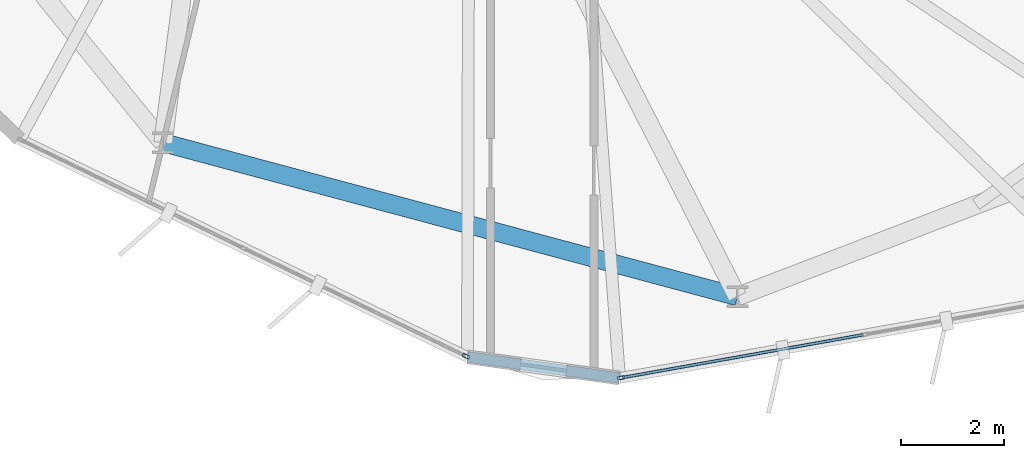
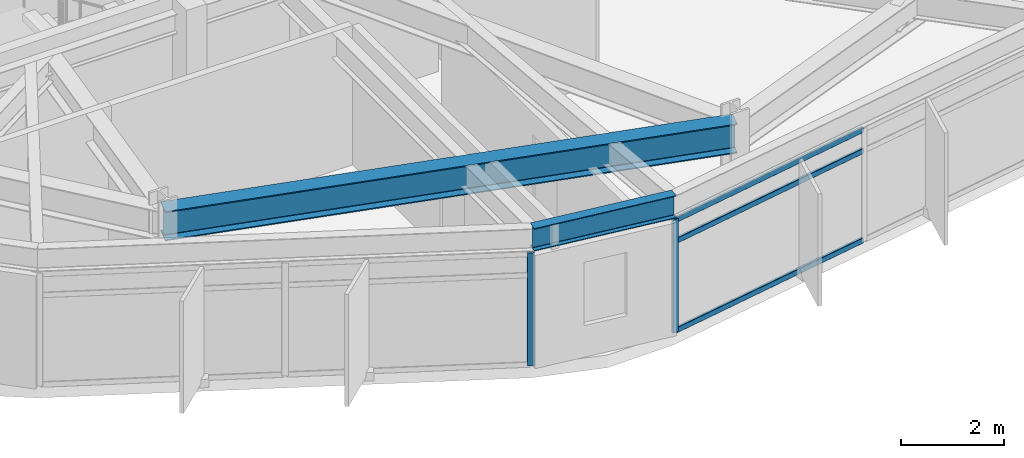
# One storey, part 5 of 28: 5 members, 2 beams, 2 elements without a shape of their own.
"""IFC4 building model written with IfcOpenShell, lengths in metres."""

from ifc_helpers import new_model, si_unit, direction, frame, origin, origin_2d, place, context, subcontext, project, spatial, hollow_rectangle, i_section, extrude, material, layer, layer_set, material_profile, profile_set, type_object, element, aggregate, save


model = new_model("IFC4")

# Units and contexts
model_context = context("Model", 3, precision=1e-05, world=origin(), true_north=direction((0.0, 1.0)))
body_context = subcontext(model_context, "Body", "Model", "MODEL_VIEW")
ifc_project = project(units=[si_unit("LENGTHUNIT", "METRE"), si_unit("AREAUNIT", "SQUARE_METRE"), si_unit("VOLUMEUNIT", "CUBIC_METRE"), si_unit("PLANEANGLEUNIT", "RADIAN"), si_unit("MASSUNIT", "GRAM", prefix="KILO")], contexts=[model_context])

# Site, building, storey
site_placement = place(None, origin())
site = spatial("IfcSite", under=ifc_project, at=site_placement, CompositionType="ELEMENT")
building_placement = place(site_placement, origin())
building = spatial("IfcBuilding", under=site, at=building_placement, Name="Soratama Intermodal Tower", CompositionType="ELEMENT")
storey_placement = place(building_placement, frame((0.0, 0.0, 205.0)))
storey = spatial("IfcBuildingStorey", under=building, at=storey_placement, Name="L51", CompositionType="ELEMENT", Elevation=205.0)

# Beams
ifc_material_1 = material(Name="Structural steel ASTM A992 Grade 50", Category="steel")
ifc_material_profile_1 = material_profile(ifc_material_1, i_section(OverallWidth=0.35498046875, OverallDepth=0.695068359375, WebThickness=0.015380859375, FlangeThickness=0.02490234375, FilletRadius=0.01611328125, at=origin_2d()), Name="W27X146")
ifc_profile_set_1 = profile_set([ifc_material_profile_1], Name="Structural steel ASTM A992 Grade 50")
beam_type_1 = type_object("IfcBeamType", Name="BM-RING-W27X146", PredefinedType="BEAM", material=ifc_profile_set_1)
beam_1_placement = place(storey_placement, frame((34.8701171875, 9.40087890625, 2.952392578125), z_axis=(0.965928616227, -0.258808632687, 0.0), x_axis=(0.258808632687, 0.965928616227, 0.0)))
element("IfcBeam", 1, at=beam_1_placement, inside=storey, type_object=beam_type_1, Name="BM-L51-RING-07", PredefinedType="BEAM", context=body_context, shape_type="SweptSolid", body=[
    extrude(i_section(OverallWidth=0.35498046875, OverallDepth=0.695068359375, WebThickness=0.015380859375, FlangeThickness=0.02490234375, FilletRadius=0.01611328125, at=origin_2d()), origin(), (0.0, 0.0, 1.0), 11.494384765625),
])
ifc_material_2 = material(Name="Structural steel ASTM A992 Grade 50", Category="steel")
ifc_material_profile_2 = material_profile(ifc_material_2, i_section(OverallWidth=0.2099609375, OverallDepth=0.537109375, WebThickness=0.010986328125, FlangeThickness=0.017333984375, FilletRadius=0.012939453125, at=origin_2d()), Name="W21X68")
ifc_profile_set_2 = profile_set([ifc_material_profile_2], Name="Structural steel ASTM A992 Grade 50")
beam_type_2 = type_object("IfcBeamType", Name="BM-SPN-W21X68", PredefinedType="SPANDREL", material=ifc_profile_set_2)
beam_2_placement = place(storey_placement, frame((40.756103515625, 5.259033203125, 3.031494140625), z_axis=(0.990496634203, -0.137536968236, 0.0), x_axis=(0.137536968236, 0.990496634203, 0.0)))
element("IfcBeam", 2, at=beam_2_placement, inside=storey, type_object=beam_type_2, Name="BS-L51-CRN06", PredefinedType="SPANDREL", context=body_context, shape_type="SweptSolid", body=[
    extrude(i_section(OverallWidth=0.2099609375, OverallDepth=0.537109375, WebThickness=0.010986328125, FlangeThickness=0.017333984375, FilletRadius=0.012939453125, at=origin_2d()), origin(), (0.0, 0.0, 1.0), 2.966064453125),
])

# Curtain wall, member
ifc_material_3 = material(Name="Double-glazed aluminium curtain wall", Category="aluminium")
ifc_layer = layer(ifc_material_3, 0.159912109375)
ifc_layer_set = layer_set([ifc_layer], Name="Double-glazed aluminium curtain wall")
curtain_wall_type = type_object("IfcCurtainWallType", Name="CW-SYS-5", PredefinedType="NOTDEFINED", material=ifc_layer_set)
curtain_wall_1_placement = place(storey_placement, origin())
curtain_wall_1 = element("IfcCurtainWall", 3, at=curtain_wall_1_placement, inside=storey, type_object=curtain_wall_type, Name="L51 Faceted Curtain Wall F06", PredefinedType="NOTDEFINED")
ifc_material_4 = material(Name="Anodised aluminium AA 6063-T6", Category="aluminium")
ifc_material_profile_3 = material_profile(ifc_material_4, hollow_rectangle(XDim=0.06494140625, YDim=0.139892578125, WallThickness=0.0048828125, InnerFilletRadius=0.0048828125, OuterFilletRadius=0.010009765625, at=origin_2d()), Name="CWM140X65X5")
ifc_profile_set_3 = profile_set([ifc_material_profile_3], Name="Anodised aluminium AA 6063-T6")
member_type_1 = type_object("IfcMemberType", Name="MT-CWM-5", PredefinedType="MULLION", material=ifc_profile_set_3)
member_1_placement = place(storey_placement, frame((40.729248046875, 5.2724609375, 0.0), z_axis=(0.0, 0.0, 1.0), x_axis=(0.437110527293, 0.899407797904, 0.0)))
member_1 = element("IfcMember", 4, at=member_1_placement, type_object=member_type_1, Name="CW-5 mullion 3", PredefinedType="MULLION", context=body_context, shape_type="SweptSolid", body=[
    extrude(hollow_rectangle(XDim=0.06494140625, YDim=0.139892578125, WallThickness=0.0048828125, InnerFilletRadius=0.0048828125, OuterFilletRadius=0.010009765625, at=origin_2d()), origin(), (0.0, 0.0, 1.0), 2.678955078125),
])
aggregate(curtain_wall_1, [member_1])

# Curtain wall, members
curtain_wall_2_placement = place(storey_placement, origin())
curtain_wall_2 = element("IfcCurtainWall", 5, at=curtain_wall_2_placement, inside=storey, type_object=curtain_wall_type, Name="L51 Faceted Curtain Wall F07", PredefinedType="NOTDEFINED")
member_2_placement = place(storey_placement, frame((43.723876953125, 4.855712890625, 0.0), z_axis=(0.0, 0.0, 1.0), x_axis=(-0.175028186714, 0.984563422973, 0.0)))
member_2 = element("IfcMember", 6, at=member_2_placement, type_object=member_type_1, Name="CW-5 mullion 1", PredefinedType="MULLION", context=body_context, shape_type="SweptSolid", body=[
    extrude(hollow_rectangle(XDim=0.06494140625, YDim=0.139892578125, WallThickness=0.0048828125, InnerFilletRadius=0.0048828125, OuterFilletRadius=0.010009765625, at=origin_2d()), origin(), (0.0, 0.0, 1.0), 2.678955078125),
])
ifc_material_5 = material(Name="Anodised aluminium AA 6063-T6", Category="aluminium")
ifc_material_profile_4 = material_profile(ifc_material_5, hollow_rectangle(XDim=0.06005859375, YDim=0.1298828125, WallThickness=0.0048828125, InnerFilletRadius=0.0048828125, OuterFilletRadius=0.010009765625, at=origin_2d()), Name="CWT130X60X5")
ifc_profile_set_4 = profile_set([ifc_material_profile_4], Name="Anodised aluminium AA 6063-T6")
member_type_2 = type_object("IfcMemberType", Name="TT-CWT-2", PredefinedType="USERDEFINED", material=ifc_profile_set_4)
member_3_placement = place(storey_placement, frame((43.75341796875, 4.861083984375, 0.030029296875), z_axis=(0.984566269523, 0.175012173625, 0.0), x_axis=(-0.175012173625, 0.984566269523, 0.0)))
member_3 = element("IfcMember", 7, at=member_3_placement, type_object=member_type_2, Name="CW-5 transom 1.1", ObjectType="TRANSOM", PredefinedType="USERDEFINED", context=body_context, shape_type="SweptSolid", body=[
    extrude(hollow_rectangle(XDim=0.06005859375, YDim=0.1298828125, WallThickness=0.0048828125, InnerFilletRadius=0.0048828125, OuterFilletRadius=0.010009765625, at=origin_2d()), origin(), (0.0, 0.0, 1.0), 4.72216796875),
])
member_4_placement = place(storey_placement, frame((43.75341796875, 4.861083984375, 2.14990234375), z_axis=(0.984566269523, 0.175012173625, 0.0), x_axis=(-0.175012173625, 0.984566269523, 0.0)))
member_4 = element("IfcMember", 8, at=member_4_placement, type_object=member_type_2, Name="CW-5 transom 1.2", ObjectType="TRANSOM", PredefinedType="USERDEFINED", context=body_context, shape_type="SweptSolid", body=[
    extrude(hollow_rectangle(XDim=0.06005859375, YDim=0.1298828125, WallThickness=0.0048828125, InnerFilletRadius=0.0048828125, OuterFilletRadius=0.010009765625, at=origin_2d()), origin(), (0.0, 0.0, 1.0), 4.72216796875),
])
member_5_placement = place(storey_placement, frame((43.75341796875, 4.861083984375, 2.64892578125), z_axis=(0.984566269523, 0.175012173625, 0.0), x_axis=(-0.175012173625, 0.984566269523, 0.0)))
member_5 = element("IfcMember", 9, at=member_5_placement, type_object=member_type_2, Name="CW-5 transom 1.3", ObjectType="TRANSOM", PredefinedType="USERDEFINED", context=body_context, shape_type="SweptSolid", body=[
    extrude(hollow_rectangle(XDim=0.06005859375, YDim=0.1298828125, WallThickness=0.0048828125, InnerFilletRadius=0.0048828125, OuterFilletRadius=0.010009765625, at=origin_2d()), origin(), (0.0, 0.0, 1.0), 4.72216796875),
])
aggregate(curtain_wall_2, [member_2, member_3, member_4, member_5])

save(model, "model.ifc")
